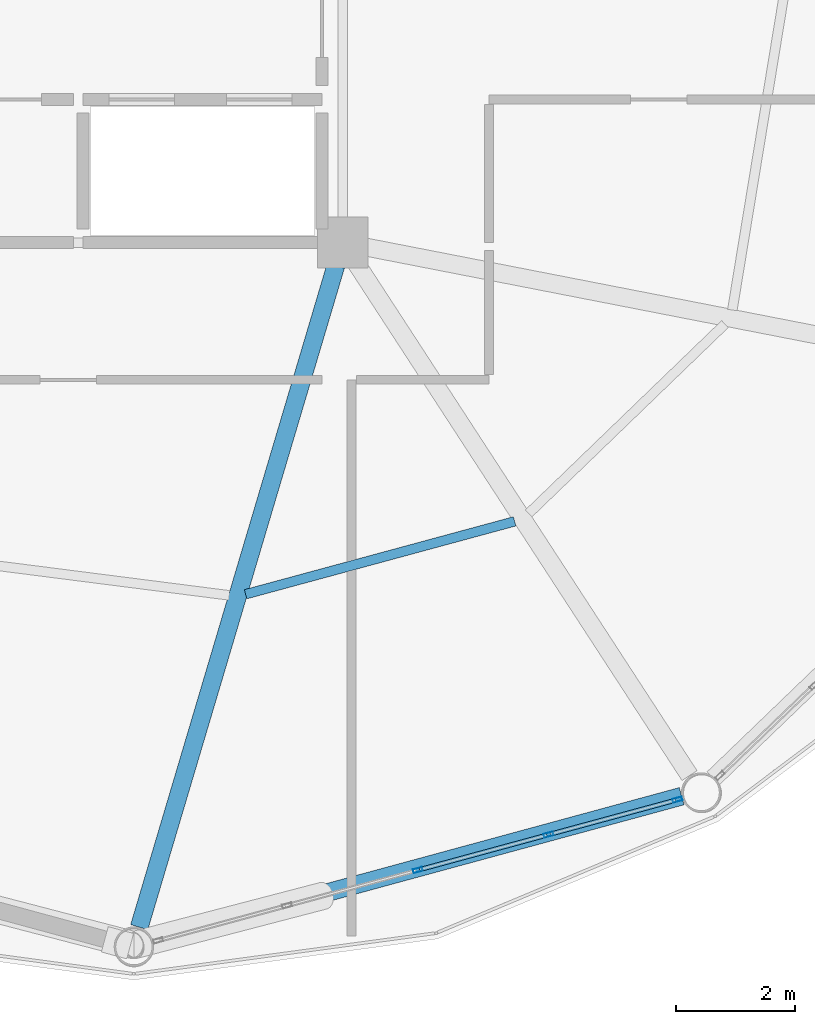
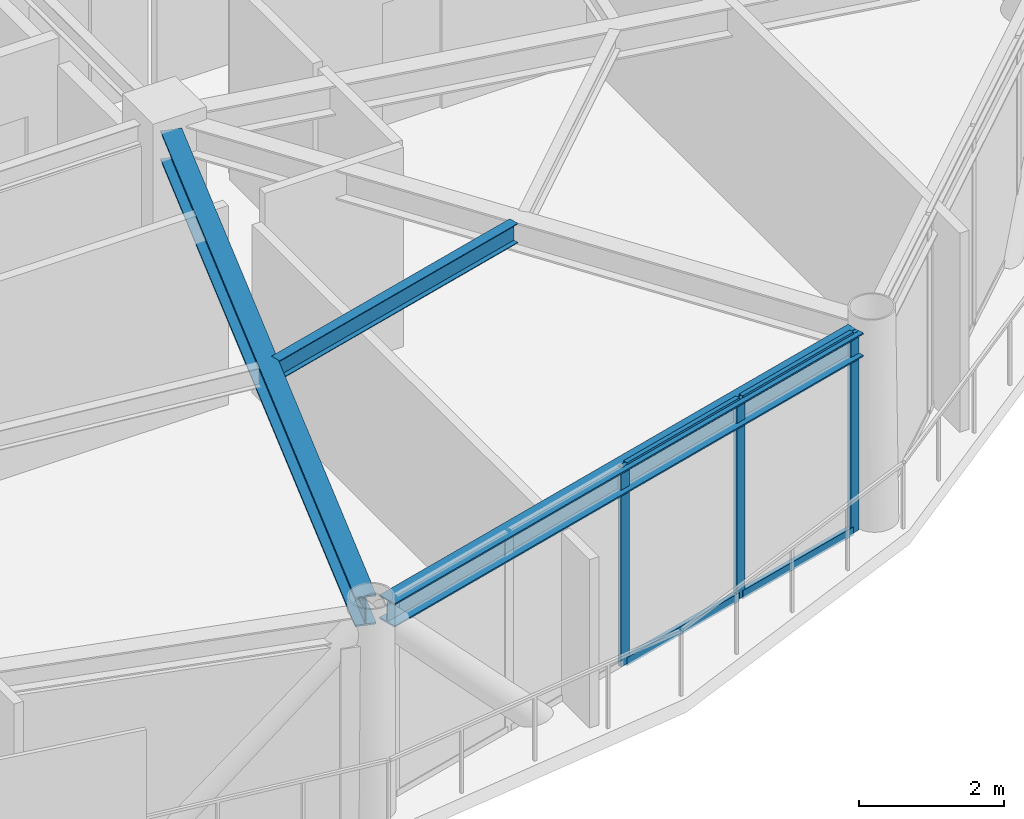
# One storey, part 8 of 28: 7 members, 3 beams, 1 element without a shape of its own.
"""IFC4 building model written with IfcOpenShell, lengths in metres."""

from ifc_helpers import new_model, si_unit, direction, frame, origin, origin_2d, place, context, subcontext, project, spatial, hollow_rectangle, i_section, extrude, material, layer, layer_set, material_profile, profile_set, type_object, element, aggregate, save


model = new_model("IFC4")

# Units and contexts
model_context = context("Model", 3, precision=1e-05, world=origin(), true_north=direction((0.0, 1.0)))
body_context = subcontext(model_context, "Body", "Model", "MODEL_VIEW")
ifc_project = project(units=[si_unit("LENGTHUNIT", "METRE"), si_unit("AREAUNIT", "SQUARE_METRE"), si_unit("VOLUMEUNIT", "CUBIC_METRE"), si_unit("PLANEANGLEUNIT", "RADIAN"), si_unit("MASSUNIT", "GRAM", prefix="KILO")], contexts=[model_context])

# Site, building, storey
site_placement = place(None, origin())
site = spatial("IfcSite", under=ifc_project, at=site_placement, CompositionType="ELEMENT")
building_placement = place(site_placement, origin())
building = spatial("IfcBuilding", under=site, at=building_placement, Name="Varnakorn Sky Granary", CompositionType="ELEMENT")
storey_placement = place(building_placement, frame((0.0, 0.0, 211.199951171875)))
storey = spatial("IfcBuildingStorey", under=building, at=storey_placement, Name="L53", CompositionType="ELEMENT", Elevation=211.199951171875)

# Beams
ifc_material_1 = material(Name="Steel S355JR", Category="steel")
ifc_material_profile_1 = material_profile(ifc_material_1, i_section(OverallWidth=0.300048828125, OverallDepth=0.5, WebThickness=0.014404296875, FlangeThickness=0.028076171875, at=origin_2d()), Name="HE 500 B")
ifc_profile_set_1 = profile_set([ifc_material_profile_1], Name="Steel S355JR")
beam_type_1 = type_object("IfcBeamType", Name="BM-RAD-Z4", PredefinedType="BEAM", material=ifc_profile_set_1)
beam_1_placement = place(storey_placement, frame((8.234619140625, -6.98828125, 3.110107421875), z_axis=(-0.284875917414, -0.958564401424, 0.0), x_axis=(0.958564401424, -0.284875917414, 0.0)))
element("IfcBeam", 1, at=beam_1_placement, inside=storey, type_object=beam_type_1, Name="Radial Floor Girder RG10 L53", PredefinedType="BEAM", context=body_context, shape_type="SweptSolid", body=[
    extrude(i_section(OverallWidth=0.300048828125, OverallDepth=0.5, WebThickness=0.014404296875, FlangeThickness=0.028076171875, at=origin_2d()), origin(), (0.0, 0.0, 1.0), 11.566162109375),
])
ifc_material_profile_2 = material_profile(ifc_material_1, i_section(OverallWidth=0.159912109375, OverallDepth=0.330078125, WebThickness=0.007568359375, FlangeThickness=0.011474609375, at=origin_2d()), Name="IPE 330")
ifc_profile_set_2 = profile_set([ifc_material_profile_2], Name="Steel S355JR")
beam_type_2 = type_object("IfcBeamType", Name="BM-SEC-Z4", PredefinedType="BEAM", material=ifc_profile_set_2)
beam_2_placement = place(storey_placement, frame((6.722412109375, -12.4951171875, 3.195068359375), z_axis=(0.965207415484, 0.261485458669, 0.0), x_axis=(-0.261485458669, 0.965207415484, 0.0)))
element("IfcBeam", 2, at=beam_2_placement, inside=storey, type_object=beam_type_2, Name="Secondary Floor Chord Beam MSB10 L53", PredefinedType="BEAM", context=body_context, shape_type="SweptSolid", body=[
    extrude(i_section(OverallWidth=0.159912109375, OverallDepth=0.330078125, WebThickness=0.007568359375, FlangeThickness=0.011474609375, at=origin_2d()), origin(), (0.0, 0.0, 1.0), 4.672119140625),
])
ifc_material_profile_3 = material_profile(ifc_material_1, i_section(OverallWidth=0.300048828125, OverallDepth=0.39990234375, WebThickness=0.013427734375, FlangeThickness=0.02392578125, at=origin_2d()), Name="HE 400 B")
ifc_profile_set_3 = profile_set([ifc_material_profile_3], Name="Steel S355JR")
beam_type_3 = type_object("IfcBeamType", Name="BM-SPD-Z4", PredefinedType="SPANDREL", material=ifc_profile_set_3)
beam_3_placement = place(storey_placement, frame((5.154052734375, -18.29443359375, 3.16015625), z_axis=(0.964961366881, 0.262391997644, 0.0), x_axis=(-0.262391997644, 0.964961366881, 0.0)))
element("IfcBeam", 3, at=beam_3_placement, inside=storey, type_object=beam_type_3, Name="Perimeter Spandrel Ring Beam RB10 L53", PredefinedType="SPANDREL", context=body_context, shape_type="SweptSolid", body=[
    extrude(i_section(OverallWidth=0.300048828125, OverallDepth=0.39990234375, WebThickness=0.013427734375, FlangeThickness=0.02392578125, at=origin_2d()), origin(), (0.0, 0.0, 1.0), 9.19921875),
])

# Curtain wall, members
ifc_material_2 = material(Name="Anodised Bronze Aluminium Alloy 6063-T6", Category="aluminium")
ifc_layer = layer(ifc_material_2, 0.169921875, Name="Anodised Bronze Aluminium Alloy 6063-T6")
ifc_layer_set = layer_set([ifc_layer], Name="Anodised Bronze Aluminium Alloy 6063-T6")
curtain_wall_type = type_object("IfcCurtainWallType", Name="CW-LAB-1", PredefinedType="USERDEFINED", material=ifc_layer_set)
curtain_wall_placement = place(storey_placement, origin())
curtain_wall = element("IfcCurtainWall", 4, at=curtain_wall_placement, inside=storey, type_object=curtain_wall_type, Name="Unitised Curtain Wall CW5 CW-L53-B10", ObjectType="CURTAIN WALL", PredefinedType="USERDEFINED")
ifc_material_profile_4 = material_profile(ifc_material_2, hollow_rectangle(XDim=0.06494140625, YDim=0.159912109375, WallThickness=0.00341796875, at=origin_2d()), Name="ALU MULL 65x160")
ifc_profile_set_4 = profile_set([ifc_material_profile_4], Name="Anodised Bronze Aluminium Alloy 6063-T6")
member_type_1 = type_object("IfcMemberType", Name="CW-LAB-1-MULL", PredefinedType="MULLION", material=ifc_profile_set_4)
member_1_placement = place(storey_placement, frame((13.961181640625, -15.938232421875, 0.0), z_axis=(0.0, 0.0, 1.0), x_axis=(0.261920163163, -0.965089544099, 0.0)))
member_1 = element("IfcMember", 5, at=member_1_placement, type_object=member_type_1, Name="CW5 mullion 1", PredefinedType="MULLION", context=body_context, shape_type="SweptSolid", body=[
    extrude(hollow_rectangle(XDim=0.06494140625, YDim=0.159912109375, WallThickness=0.00341796875, at=origin_2d()), origin(), (0.0, 0.0, 1.0), 3.360107421875),
])
member_2_placement = place(storey_placement, frame((11.801025390625, -16.5244140625, 0.0), z_axis=(0.0, 0.0, 1.0), x_axis=(0.261920163163, -0.965089544099, 0.0)))
member_2 = element("IfcMember", 6, at=member_2_placement, type_object=member_type_1, Name="CW5 mullion 2", PredefinedType="MULLION", context=body_context, shape_type="SweptSolid", body=[
    extrude(hollow_rectangle(XDim=0.06494140625, YDim=0.159912109375, WallThickness=0.00341796875, at=origin_2d()), origin(), (0.0, 0.0, 1.0), 3.360107421875),
])
member_3_placement = place(storey_placement, frame((9.609619140625, -17.119140625, 0.0), z_axis=(0.0, 0.0, 1.0), x_axis=(0.261920163163, -0.965089544099, 0.0)))
member_3 = element("IfcMember", 7, at=member_3_placement, type_object=member_type_1, Name="CW5 mullion 3", PredefinedType="MULLION", context=body_context, shape_type="SweptSolid", body=[
    extrude(hollow_rectangle(XDim=0.06494140625, YDim=0.159912109375, WallThickness=0.00341796875, at=origin_2d()), origin(), (0.0, 0.0, 1.0), 3.360107421875),
])
ifc_material_profile_5 = material_profile(ifc_material_2, hollow_rectangle(XDim=0.070068359375, YDim=0.139892578125, WallThickness=0.00341796875, at=origin_2d()), Name="ALU TRAN 70x140")
ifc_profile_set_5 = profile_set([ifc_material_profile_5], Name="Anodised Bronze Aluminium Alloy 6063-T6")
member_type_2 = type_object("IfcMemberType", Name="CW-LAB-1-TRAN", PredefinedType="USERDEFINED", material=ifc_profile_set_5)
member_4_placement = place(storey_placement, frame((13.929931640625, -15.94677734375, 0.03515625), z_axis=(-0.96510520748, -0.261862441932, 0.0), x_axis=(0.261862441932, -0.96510520748, 0.0)))
member_4 = element("IfcMember", 8, at=member_4_placement, type_object=member_type_2, Name="CW5 transom 1.1", ObjectType="TRANSOM", PredefinedType="USERDEFINED", context=body_context, shape_type="SweptSolid", body=[
    extrude(hollow_rectangle(XDim=0.070068359375, YDim=0.139892578125, WallThickness=0.00341796875, at=origin_2d()), origin(), (0.0, 0.0, 1.0), 2.17333984375),
])
member_5_placement = place(storey_placement, frame((13.929931640625, -15.94677734375, 3.324951171875), z_axis=(-0.96510520748, -0.261862441932, 0.0), x_axis=(0.261862441932, -0.96510520748, 0.0)))
member_5 = element("IfcMember", 9, at=member_5_placement, type_object=member_type_2, Name="CW5 transom 1.2", ObjectType="TRANSOM", PredefinedType="USERDEFINED", context=body_context, shape_type="SweptSolid", body=[
    extrude(hollow_rectangle(XDim=0.070068359375, YDim=0.139892578125, WallThickness=0.00341796875, at=origin_2d()), origin(), (0.0, 0.0, 1.0), 2.17333984375),
])
member_6_placement = place(storey_placement, frame((11.769775390625, -16.532958984375, 0.03515625), z_axis=(-0.965077277508, -0.261965357324, 0.0), x_axis=(0.261965357324, -0.965077277508, 0.0)))
member_6 = element("IfcMember", 10, at=member_6_placement, type_object=member_type_2, Name="CW5 transom 2.1", ObjectType="TRANSOM", PredefinedType="USERDEFINED", context=body_context, shape_type="SweptSolid", body=[
    extrude(hollow_rectangle(XDim=0.070068359375, YDim=0.139892578125, WallThickness=0.00341796875, at=origin_2d()), origin(), (0.0, 0.0, 1.0), 2.2060546875),
])
member_7_placement = place(storey_placement, frame((11.769775390625, -16.532958984375, 3.324951171875), z_axis=(-0.965077277508, -0.261965357324, 0.0), x_axis=(0.261965357324, -0.965077277508, 0.0)))
member_7 = element("IfcMember", 11, at=member_7_placement, type_object=member_type_2, Name="CW5 transom 2.2", ObjectType="TRANSOM", PredefinedType="USERDEFINED", context=body_context, shape_type="SweptSolid", body=[
    extrude(hollow_rectangle(XDim=0.070068359375, YDim=0.139892578125, WallThickness=0.00341796875, at=origin_2d()), origin(), (0.0, 0.0, 1.0), 2.2060546875),
])
aggregate(curtain_wall, [member_1, member_2, member_3, member_4, member_5, member_6, member_7])

save(model, "model.ifc")
